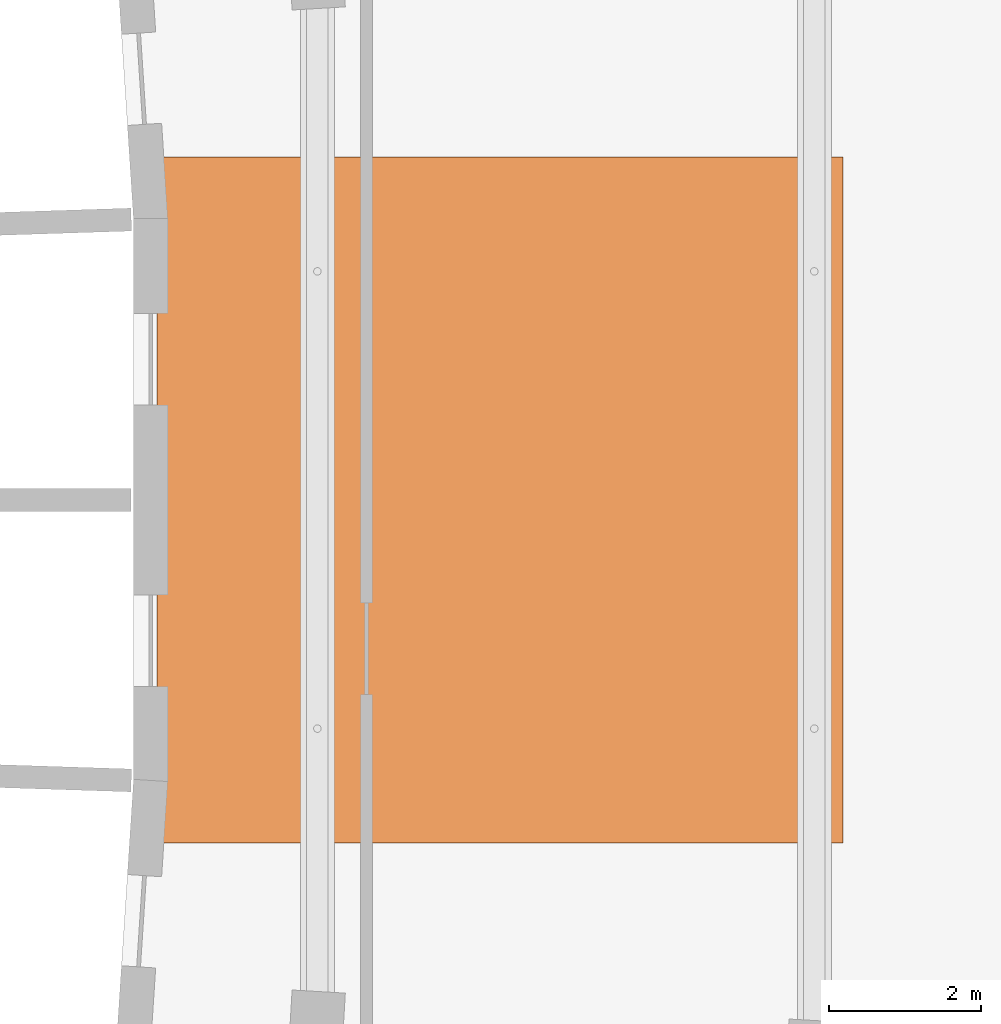
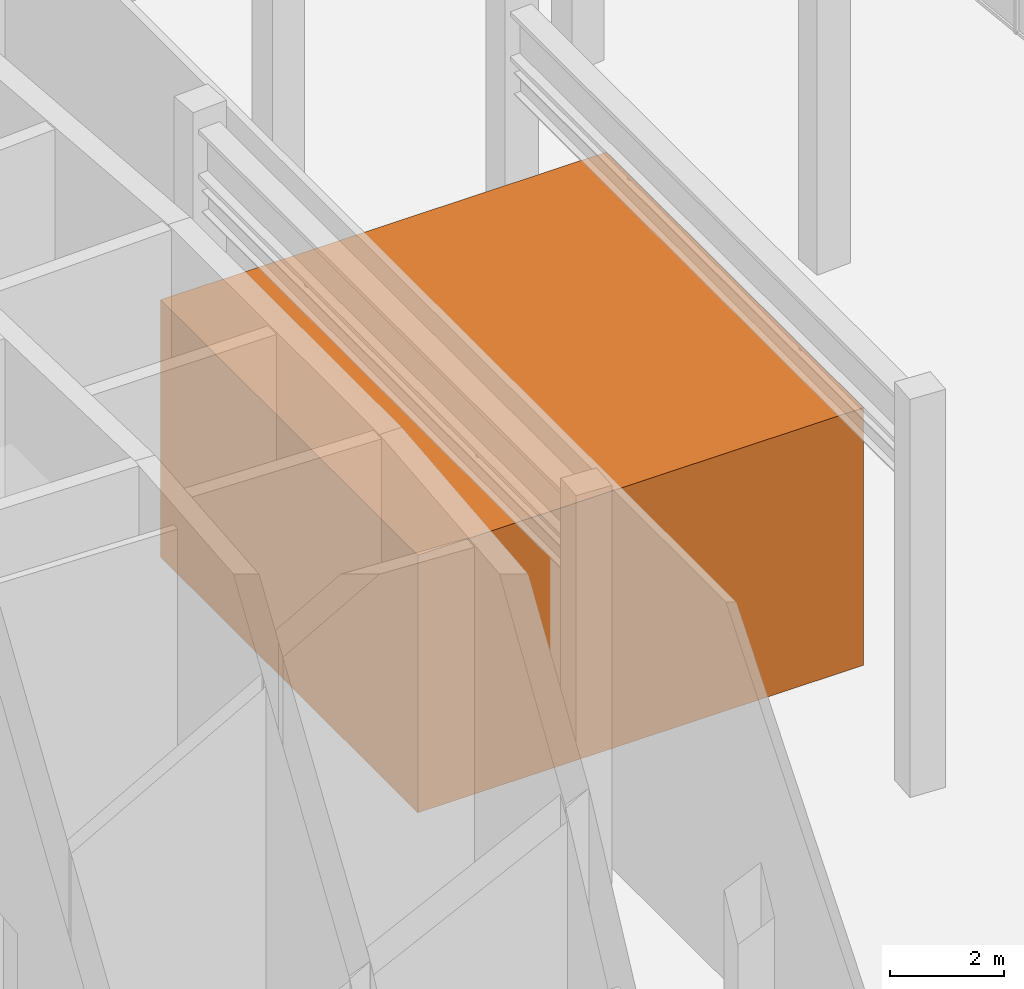
# One storey, part 25 of 25: 1 proxy.
"""IFC4 building model written with IfcOpenShell, lengths in metres."""

from ifc_helpers import new_model, si_unit, direction, frame, origin, origin_2d, place, context, subcontext, project, spatial, rectangle, extrude, material, type_object, element, save


model = new_model("IFC4")

# Units and contexts
model_context = context("Model", 3, precision=1e-05, world=origin(), true_north=direction((0.0, 1.0)))
body_context = subcontext(model_context, "Body", "Model", "MODEL_VIEW")
ifc_project = project(units=[si_unit("LENGTHUNIT", "METRE"), si_unit("AREAUNIT", "SQUARE_METRE"), si_unit("VOLUMEUNIT", "CUBIC_METRE"), si_unit("PLANEANGLEUNIT", "RADIAN"), si_unit("MASSUNIT", "GRAM", prefix="KILO")], contexts=[model_context])

# Site, building, storey
site_placement = place(None, origin())
site = spatial("IfcSite", under=ifc_project, at=site_placement, CompositionType="ELEMENT")
building_placement = place(site_placement, origin())
building = spatial("IfcBuilding", under=site, at=building_placement, Name="Alderwake Tower", CompositionType="ELEMENT")
storey_placement = place(building_placement, frame((0.0, 0.0, 296.0)))
storey = spatial("IfcBuildingStorey", under=building, at=storey_placement, Name="L73", CompositionType="ELEMENT", Elevation=296.0)

# Proxy
ifc_material = material(Name="Steel plate ballast ASTM A572 Grade 50", Category="steel")
building_element_proxy_type = type_object("IfcBuildingElementProxyType", Name="Tuned mass damper block 800 t", PredefinedType="USERDEFINED", material=ifc_material)
proxy_placement = place(storey_placement, frame((38.0, 61.0, 0.800048828125), z_axis=(0.0, 0.0, 1.0), x_axis=(1.0, 0.0, 0.0)))
element("IfcBuildingElementProxy", 1, at=proxy_placement, inside=storey, type_object=building_element_proxy_type, Name="Tuned mass damper block", ObjectType="TUNED MASS DAMPER", PredefinedType="USERDEFINED", context=body_context, shape_type="SweptSolid", body=[
    extrude(rectangle(XDim=9.0, YDim=9.0, at=origin_2d()), origin(), (0.0, 0.0, 1.0), 5.5),
])

save(model, "model.ifc")
